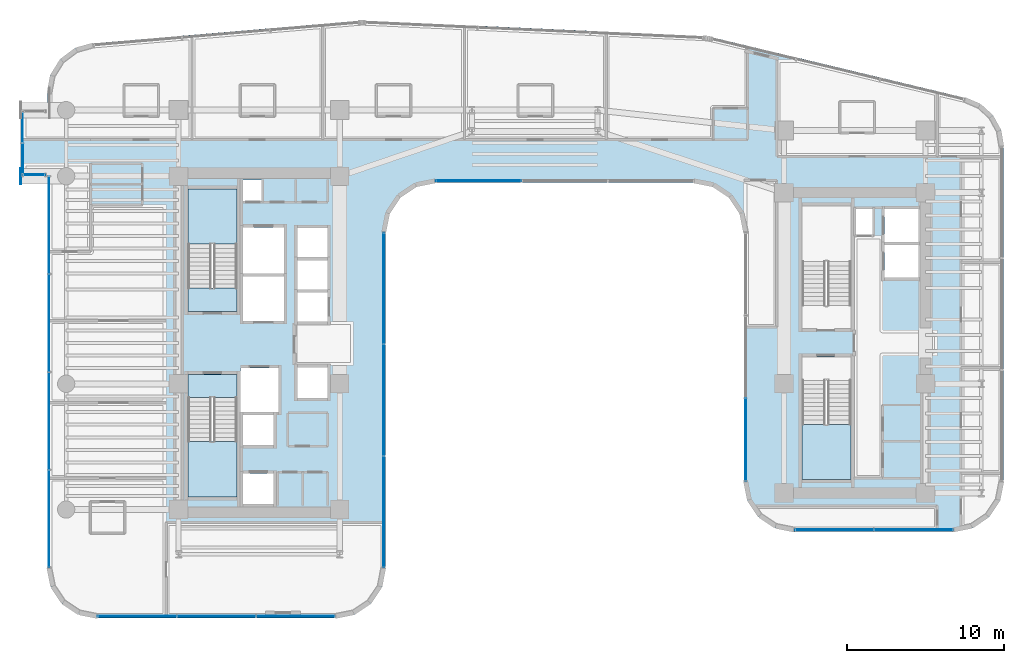
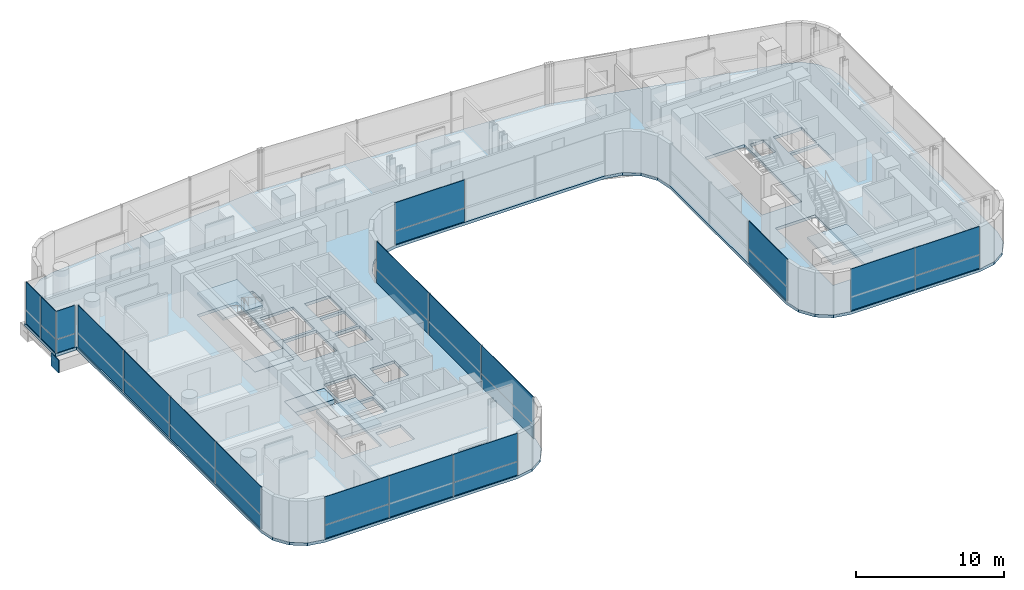
# One storey, part 25 of 35: 29 plates, 6 slabs, 11 elements without a shape of their own.
"""IFC4 building model written with IfcOpenShell, lengths in metres."""

from ifc_helpers import new_model, si_unit, direction, frame, origin, origin_2d, place, context, subcontext, project, spatial, polyline, rectangle, outline, extrude, source, transform, mapped, material, layer, layer_set, type_object, element, aggregate, save


model = new_model("IFC4")

# Units and contexts
model_context = context("Model", 3, precision=1e-05, world=origin(), true_north=direction((0.0, 1.0)))
body_context = subcontext(model_context, "Body", "Model", "MODEL_VIEW")
ifc_project = project(units=[si_unit("LENGTHUNIT", "METRE"), si_unit("AREAUNIT", "SQUARE_METRE"), si_unit("VOLUMEUNIT", "CUBIC_METRE"), si_unit("PLANEANGLEUNIT", "RADIAN"), si_unit("MASSUNIT", "GRAM", prefix="KILO")], contexts=[model_context])

# Site, building, storey
site_placement = place(None, origin())
site = spatial("IfcSite", under=ifc_project, at=site_placement, CompositionType="ELEMENT")
building_placement = place(site_placement, origin())
building = spatial("IfcBuilding", under=site, at=building_placement, Name="Valdorenza Pilgrim Sanctuary Tower", CompositionType="ELEMENT")
storey_placement = place(building_placement, frame((0.0, 0.0, 116.800048828125)))
storey = spatial("IfcBuildingStorey", under=building, at=storey_placement, Name="L29", CompositionType="ELEMENT", Elevation=116.800048828125)

# Slab
ifc_material_1 = material(Name="Concrete C40/50", Category="concrete")
ifc_layer_1 = layer(ifc_material_1, 0.239990234375, Name="Concrete C40/50")
ifc_layer_set_1 = layer_set([ifc_layer_1], Name="Concrete C40/50")
slab_type_1 = type_object("IfcSlabType", Name="SLAB-FLR-220", PredefinedType="FLOOR", material=ifc_layer_set_1)
slab_1_placement = place(storey_placement, frame((0.0, 0.0, -0.239990234375)))
element("IfcSlab", 1, at=slab_1_placement, inside=storey, type_object=slab_type_1, Name="L29 Structural Floor Slab 1", PredefinedType="FLOOR", context=body_context, shape_type="SweptSolid", body=[
    extrude(outline(polyline([(-30.78173828125, 17.022216796875), (-30.156494140625, 18.025390625), (-29.2099609375, 18.733154296875), (-28.071044921875, 19.049072265625), (-11.2080078125, 20.482421875), (-11.10400390625, 20.489501953125), (-10.895751953125, 20.49365234375), (10.6962890625, 19.513916015625), (10.847412109375, 19.50341796875), (10.998046875, 19.485595703125), (11.147705078125, 19.4609375), (11.2958984375, 19.42919921875), (27.344970703125, 15.587646484375), (28.323974609375, 15.17138671875), (29.1123046875, 14.45751953125), (29.623291015625, 13.5244140625), (29.800048828125, 12.4755859375), (29.800048828125, -8.800048828125), (29.556396484375, -10.024658203125), (28.86279296875, -11.062744140625), (27.82470703125, -11.75634765625), (26.60009765625, -12.0), (16.5, -12.0), (15.275390625, -11.75634765625), (14.2373046875, -11.062744140625), (13.543701171875, -10.024658203125), (13.300048828125, -8.800048828125), (13.300048828125, 7.0), (13.056396484375, 8.224609375), (12.36279296875, 9.2626953125), (11.32470703125, 9.956298828125), (10.10009765625, 10.199951171875), (-6.300048828125, 10.199951171875), (-7.524658203125, 9.956298828125), (-8.562744140625, 9.2626953125), (-9.25634765625, 8.224609375), (-9.5, 7.0), (-9.5, -14.300048828125), (-9.74365234375, -15.524658203125), (-10.437255859375, -16.562744140625), (-11.475341796875, -17.25634765625), (-12.699951171875, -17.5), (-27.800048828125, -17.5), (-29.024658203125, -17.25634765625), (-30.062744140625, -16.562744140625), (-30.75634765625, -15.524658203125), (-31.0, -14.300048828125), (-31.0, 10.60009765625), (-32.64990234375, 10.60009765625), (-32.64990234375, 14.800048828125), (-31.0, 14.800048828125), (-31.0, 15.860595703125), (-30.78173828125, 17.022216796875)]), holes=[polyline([(-16.60009765625, -10.25), (-16.60009765625, -8.300048828125), (-18.550048828125, -8.300048828125), (-18.550048828125, -10.25), (-16.60009765625, -10.25)]), polyline([(-22.050048828125, -9.800048828125), (-18.93994140625, -9.800048828125), (-18.93994140625, -3.485107421875), (-18.93994140625, -2.0), (-22.050048828125, -2.0), (-22.050048828125, -3.485107421875), (-22.050048828125, -9.800048828125)]), polyline([(-16.60009765625, -6.5), (-16.60009765625, -4.60009765625), (-18.550048828125, -4.60009765625), (-18.550048828125, -6.5), (-16.60009765625, -6.5)]), polyline([(-18.719970703125, -4.39990234375), (-16.300048828125, -4.39990234375), (-16.300048828125, -1.60009765625), (-18.719970703125, -1.60009765625), (-18.719970703125, -4.39990234375)]), polyline([(-13.179931640625, 1.35009765625), (-13.179931640625, 3.199951171875), (-15.10009765625, 3.199951171875), (-15.10009765625, 1.35009765625), (-13.179931640625, 1.35009765625)]), polyline([(-22.050048828125, 2.0), (-18.93994140625, 2.0), (-18.93994140625, 3.485107421875), (-18.93994140625, 9.800048828125), (-22.050048828125, 9.800048828125), (-22.050048828125, 3.485107421875), (-22.050048828125, 2.0)]), polyline([(-15.949951171875, 1.39990234375), (-15.949951171875, 4.22509765625), (-18.550048828125, 4.22509765625), (-18.550048828125, 1.39990234375), (-15.949951171875, 1.39990234375)]), polyline([(-18.550048828125, 4.425048828125), (-15.949951171875, 4.425048828125), (-15.949951171875, 7.35009765625), (-18.550048828125, 7.35009765625), (-18.550048828125, 4.425048828125)]), polyline([(-17.360107421875, 9.030029296875), (-17.360107421875, 10.35009765625), (-18.570068359375, 10.35009765625), (-18.570068359375, 9.030029296875), (-17.360107421875, 9.030029296875)]), polyline([(17.0, -8.699951171875), (20.110107421875, -8.699951171875), (20.110107421875, -2.385009765625), (20.110107421875, -0.89990234375), (17.0, -0.89990234375), (17.0, -2.385009765625), (17.0, -8.699951171875)]), polyline([(-13.179931640625, -3.5), (-13.179931640625, -1.550048828125), (-15.10009765625, -1.550048828125), (-15.10009765625, -3.5), (-13.179931640625, -3.5)]), polyline([(17.0, 0.89990234375), (20.110107421875, 0.89990234375), (20.110107421875, 2.385009765625), (20.110107421875, 8.699951171875), (17.0, 8.699951171875), (17.0, 2.385009765625), (17.0, 0.89990234375)]), polyline([(-13.179931640625, 3.39990234375), (-13.179931640625, 5.25), (-15.10009765625, 5.25), (-15.10009765625, 3.39990234375), (-13.179931640625, 3.39990234375)]), polyline([(22.25, 4.14990234375), (24.47998046875, 4.14990234375), (24.47998046875, 6.22509765625), (22.25, 6.22509765625), (22.25, 4.14990234375)]), polyline([(-13.179931640625, 5.449951171875), (-13.179931640625, 7.300048828125), (-15.10009765625, 7.300048828125), (-15.10009765625, 5.449951171875), (-13.179931640625, 5.449951171875)]), polyline([(22.25, 6.425048828125), (24.47998046875, 6.425048828125), (24.47998046875, 8.5), (22.25, 8.5), (22.25, 6.425048828125)]), polyline([(20.409912109375, 6.860107421875), (21.489990234375, 6.860107421875), (21.489990234375, 8.52001953125), (20.409912109375, 8.52001953125), (20.409912109375, 6.860107421875)])]), origin(), (0.0, 0.0, 1.0), 0.239990234375),
])

# Stair, slab
stair_type = type_object("IfcStairType", Name="STR-DOG-CORE", PredefinedType="HALF_TURN_STAIR", material=ifc_material_1)
stair_1_placement = place(storey_placement, origin())
stair_1 = element("IfcStair", 2, at=stair_1_placement, inside=storey, type_object=stair_type, Name="L29 ST-A1", PredefinedType="HALF_TURN_STAIR")
ifc_layer_2 = layer(ifc_material_1, 0.199951171875, Name="Concrete C40/50")
ifc_layer_set_2 = layer_set([ifc_layer_2], Name="Concrete C40/50")
slab_type_2 = type_object("IfcSlabType", Name="SLAB-STL-200", PredefinedType="LANDING", material=ifc_layer_set_2)
slab_2_placement = place(storey_placement, frame((0.0, 0.0, 1.64990234375)))
slab_2 = element("IfcSlab", 3, at=slab_2_placement, type_object=slab_type_2, Name="ST-A1 landing 1", PredefinedType="LANDING", context=body_context, shape_type="SweptSolid", body=[
    extrude(outline(polyline([(-18.93994140625, 6.280029296875), (-18.93994140625, 9.800048828125), (-22.050048828125, 9.800048828125), (-22.050048828125, 6.280029296875), (-18.93994140625, 6.280029296875)])), origin(), (0.0, 0.0, 1.0), 0.199951171875),
])
aggregate(stair_1, [slab_2])

stair_2_placement = place(storey_placement, origin())
stair_2 = element("IfcStair", 4, at=stair_2_placement, inside=storey, type_object=stair_type, Name="L29 ST-A2", PredefinedType="HALF_TURN_STAIR")
slab_3_placement = place(storey_placement, frame((0.0, 0.0, 1.64990234375)))
slab_3 = element("IfcSlab", 5, at=slab_3_placement, type_object=slab_type_2, Name="ST-A2 landing 1", PredefinedType="LANDING", context=body_context, shape_type="SweptSolid", body=[
    extrude(outline(polyline([(-22.050048828125, -6.280029296875), (-22.050048828125, -9.800048828125), (-18.93994140625, -9.800048828125), (-18.93994140625, -6.280029296875), (-22.050048828125, -6.280029296875)])), origin(), (0.0, 0.0, 1.0), 0.199951171875),
])
aggregate(stair_2, [slab_3])

stair_3_placement = place(storey_placement, origin())
stair_3 = element("IfcStair", 6, at=stair_3_placement, inside=storey, type_object=stair_type, Name="L29 ST-B2", PredefinedType="HALF_TURN_STAIR")
slab_4_placement = place(storey_placement, frame((0.0, 0.0, 1.64990234375)))
slab_4 = element("IfcSlab", 7, at=slab_4_placement, type_object=slab_type_2, Name="ST-B2 landing 1", PredefinedType="LANDING", context=body_context, shape_type="SweptSolid", body=[
    extrude(outline(polyline([(17.0, -5.179931640625), (17.0, -8.699951171875), (20.110107421875, -8.699951171875), (20.110107421875, -5.179931640625), (17.0, -5.179931640625)])), origin(), (0.0, 0.0, 1.0), 0.199951171875),
])
aggregate(stair_3, [slab_4])

# Slabs
ifc_material_2 = material(Name="Concrete C50/60", Category="concrete")
ifc_layer_3 = layer(ifc_material_2, 0.39990234375, Name="Concrete C50/60")
ifc_layer_set_3 = layer_set([ifc_layer_3], Name="Concrete C50/60")
slab_type_3 = type_object("IfcSlabType", Name="SLAB-TRF-400", PredefinedType="FLOOR", material=ifc_layer_set_3)
slab_5_placement = place(storey_placement, frame((0.0, 0.0, -0.360107421875)))
element("IfcSlab", 8, at=slab_5_placement, inside=storey, type_object=slab_type_3, Name="L29 ST-A1 Structural Stair Landing Bearing Slab", PredefinedType="FLOOR", context=body_context, shape_type="SweptSolid", body=[
    extrude(outline(polyline([(-22.050048828125, 2.0), (-18.93994140625, 2.0), (-18.93994140625, 3.485107421875), (-22.050048828125, 3.485107421875), (-22.050048828125, 2.0)])), origin(), (0.0, 0.0, 1.0), 0.360107421875),
])
slab_6_placement = place(storey_placement, frame((0.0, 0.0, -0.360107421875)))
element("IfcSlab", 9, at=slab_6_placement, inside=storey, type_object=slab_type_3, Name="L29 ST-A2 Structural Stair Landing Bearing Slab", PredefinedType="FLOOR", context=body_context, shape_type="SweptSolid", body=[
    extrude(outline(polyline([(-22.050048828125, -3.485107421875), (-18.93994140625, -3.485107421875), (-18.93994140625, -2.0), (-22.050048828125, -2.0), (-22.050048828125, -3.485107421875)])), origin(), (0.0, 0.0, 1.0), 0.360107421875),
])

# Plate
ifc_material_3 = material(Name="Steel ASTM A572 Grade 42", Category="steel")
ifc_layer_4 = layer(ifc_material_3, 0.06005859375, Name="Steel ASTM A572 Grade 42")
ifc_layer_set_4 = layer_set([ifc_layer_4], Name="Steel ASTM A572 Grade 42")
plate_type_1 = type_object("IfcPlateType", Name="PLT-CAP-60", PredefinedType="SHEET", material=ifc_layer_set_4)
shared_shape_1 = source(origin(), body_context, "Body", "SweptSolid", [
    extrude(rectangle(XDim=0.06005859375, YDim=1.0400390625, at=origin_2d()), origin(), (0.0, 0.0, 1.0), 1.0400390625),
])
plate_1_placement = place(storey_placement, frame((-32.679931640625, 10.60009765625, -1.260009765625), z_axis=(0.0, 0.0, 1.0), x_axis=(1.0, 0.0, 0.0)))
element("IfcPlate", 10, at=plate_1_placement, inside=storey, type_object=plate_type_1, Name="L29 BOX-WA-L29 Cantilever Tip End Cap S", PredefinedType="SHEET", context=body_context, shape_type="MappedRepresentation", body=[
    mapped(shared_shape_1, transform((0.0, 0.0, 0.0), x_axis=(1.0, 0.0, 0.0), y_axis=(0.0, 1.0, 0.0), z_axis=(0.0, 0.0, 1.0), scale=1.0)),
])

# Curtain wall, plates
ifc_material_4 = material(Name="Curtain-wall IGU glazing", Category="glass")
curtain_wall_type_1 = type_object("IfcCurtainWallType", Name="CW-SYS-02", PredefinedType="NOTDEFINED", material=ifc_material_4)
curtain_wall_1_placement = place(storey_placement, origin())
curtain_wall_1 = element("IfcCurtainWall", 11, at=curtain_wall_1_placement, inside=storey, type_object=curtain_wall_type_1, Name="L29 Curtain Wall CW-L29-1-36", PredefinedType="NOTDEFINED")
ifc_material_5 = material(Name="Honed travertine limestone", Category="masonry")
ifc_layer_5 = layer(ifc_material_5, 0.050048828125, Name="Honed travertine limestone")
ifc_layer_set_5 = layer_set([ifc_layer_5], Name="Honed travertine limestone")
plate_type_2 = type_object("IfcPlateType", Name="CW-SPN-TRV", PredefinedType="USERDEFINED", material=ifc_layer_set_5)
shared_shape_2 = source(origin(), body_context, "Body", "SweptSolid", [
    extrude(rectangle(XDim=5.453857421875, YDim=0.06005859375, at=origin_2d()), origin(), (0.0, 0.0, 1.0), 1.10009765625),
])
plate_2_placement = place(storey_placement, frame((-3.573974609375, 10.31005859375, 0.010009765625), z_axis=(0.0, 0.0, 1.0), x_axis=(-1.0, 0.0, 0.0)))
plate_2 = element("IfcPlate", 12, at=plate_2_placement, type_object=plate_type_2, Name="CW-L29-1-36 Travertine Spandrel 3", ObjectType="SPANDREL", PredefinedType="USERDEFINED", context=body_context, shape_type="MappedRepresentation", body=[
    mapped(shared_shape_2, transform((0.0, 0.0, 0.0), x_axis=(1.0, 0.0, 0.0), y_axis=(0.0, 1.0, 0.0), z_axis=(0.0, 0.0, 1.0), scale=1.0)),
])
ifc_material_6 = material(Name="Ceramic-fritted low-E IGU glazing", Category="glass")
ifc_layer_6 = layer(ifc_material_6, 0.035888671875, Name="Ceramic-fritted low-E IGU glazing")
ifc_layer_set_6 = layer_set([ifc_layer_6], Name="Ceramic-fritted low-E IGU glazing")
plate_type_3 = type_object("IfcPlateType", Name="CW-GLZ-IGU", PredefinedType="USERDEFINED", material=ifc_layer_set_6)
shared_shape_3 = source(origin(), body_context, "Body", "SweptSolid", [
    extrude(rectangle(XDim=5.453857421875, YDim=0.050048828125, at=origin_2d()), origin(), (0.0, 0.0, 1.0), 2.320068359375),
])
plate_3_placement = place(storey_placement, frame((-3.573974609375, 10.31005859375, 1.1298828125), z_axis=(0.0, 0.0, 1.0), x_axis=(-1.0, 0.0, 0.0)))
plate_3 = element("IfcPlate", 13, at=plate_3_placement, type_object=plate_type_3, Name="CW-L29-1-36 Facade Panel 3", ObjectType="GLAZING", PredefinedType="USERDEFINED", context=body_context, shape_type="MappedRepresentation", body=[
    mapped(shared_shape_3, transform((0.0, 0.0, 0.0), x_axis=(1.0, 0.0, 0.0), y_axis=(0.0, 1.0, 0.0), z_axis=(0.0, 0.0, 1.0), scale=1.0)),
])
aggregate(curtain_wall_1, [plate_2, plate_3])

curtain_wall_2_placement = place(storey_placement, origin())
curtain_wall_2 = element("IfcCurtainWall", 14, at=curtain_wall_2_placement, inside=storey, type_object=curtain_wall_type_1, Name="L29 Curtain Wall CW-L29-BOX-WA-L29-S", PredefinedType="NOTDEFINED")
shared_shape_4 = source(origin(), body_context, "Body", "SweptSolid", [
    extrude(rectangle(XDim=1.43994140625, YDim=0.06005859375, at=origin_2d()), origin(), (0.0, 0.0, 1.0), 1.10009765625),
])
plate_4_placement = place(storey_placement, frame((-31.840087890625, 10.679931640625, 0.010009765625), z_axis=(0.0, 0.0, 1.0), x_axis=(-1.0, 0.0, 0.0)))
plate_4 = element("IfcPlate", 15, at=plate_4_placement, type_object=plate_type_2, Name="CW-L29-BOX-WA-L29-S Travertine Spandrel 1", ObjectType="SPANDREL", PredefinedType="USERDEFINED", context=body_context, shape_type="MappedRepresentation", body=[
    mapped(shared_shape_4, transform((0.0, 0.0, 0.0), x_axis=(1.0, 0.0, 0.0), y_axis=(0.0, 1.0, 0.0), z_axis=(0.0, 0.0, 1.0), scale=1.0)),
])
shared_shape_5 = source(origin(), body_context, "Body", "SweptSolid", [
    extrude(rectangle(XDim=1.43994140625, YDim=0.050048828125, at=origin_2d()), origin(), (0.0, 0.0, 1.0), 2.320068359375),
])
plate_5_placement = place(storey_placement, frame((-31.840087890625, 10.679931640625, 1.1298828125), z_axis=(0.0, 0.0, 1.0), x_axis=(-1.0, 0.0, 0.0)))
plate_5 = element("IfcPlate", 16, at=plate_5_placement, type_object=plate_type_3, Name="CW-L29-BOX-WA-L29-S Facade Panel 1", ObjectType="GLAZING", PredefinedType="USERDEFINED", context=body_context, shape_type="MappedRepresentation", body=[
    mapped(shared_shape_5, transform((0.0, 0.0, 0.0), x_axis=(1.0, 0.0, 0.0), y_axis=(0.0, 1.0, 0.0), z_axis=(0.0, 0.0, 1.0), scale=1.0)),
])
aggregate(curtain_wall_2, [plate_4, plate_5])

curtain_wall_3_placement = place(storey_placement, origin())
curtain_wall_3 = element("IfcCurtainWall", 17, at=curtain_wall_3_placement, inside=storey, type_object=curtain_wall_type_1, Name="L29 Curtain Wall CW-L29-BOX-WA-L29-F", PredefinedType="NOTDEFINED")
shared_shape_6 = source(origin(), body_context, "Body", "SweptSolid", [
    extrude(rectangle(XDim=2.0, YDim=0.06005859375, at=origin_2d()), origin(), (0.0, 0.0, 1.0), 1.10009765625),
])
plate_6_placement = place(storey_placement, frame((-32.570068359375, 11.68994140625, 0.010009765625), z_axis=(0.0, 0.0, 1.0), x_axis=(0.0, 1.0, 0.0)))
plate_6 = element("IfcPlate", 18, at=plate_6_placement, type_object=plate_type_2, Name="CW-L29-BOX-WA-L29-F Travertine Spandrel 1", ObjectType="SPANDREL", PredefinedType="USERDEFINED", context=body_context, shape_type="MappedRepresentation", body=[
    mapped(shared_shape_6, transform((0.0, 0.0, 0.0), x_axis=(1.0, 0.0, 0.0), y_axis=(0.0, 1.0, 0.0), z_axis=(0.0, 0.0, 1.0), scale=1.0)),
])
shared_shape_7 = source(origin(), body_context, "Body", "SweptSolid", [
    extrude(rectangle(XDim=2.0, YDim=0.050048828125, at=origin_2d()), origin(), (0.0, 0.0, 1.0), 2.320068359375),
])
plate_7_placement = place(storey_placement, frame((-32.570068359375, 11.68994140625, 1.1298828125), z_axis=(0.0, 0.0, 1.0), x_axis=(0.0, 1.0, 0.0)))
plate_7 = element("IfcPlate", 19, at=plate_7_placement, type_object=plate_type_3, Name="CW-L29-BOX-WA-L29-F Facade Panel 1", ObjectType="GLAZING", PredefinedType="USERDEFINED", context=body_context, shape_type="MappedRepresentation", body=[
    mapped(shared_shape_7, transform((0.0, 0.0, 0.0), x_axis=(1.0, 0.0, 0.0), y_axis=(0.0, 1.0, 0.0), z_axis=(0.0, 0.0, 1.0), scale=1.0)),
])
shared_shape_8 = source(origin(), body_context, "Body", "SweptSolid", [
    extrude(rectangle(XDim=2.0, YDim=0.050048828125, at=origin_2d()), origin(), (0.0, 0.0, 1.0), 3.43994140625),
])
plate_8_placement = place(storey_placement, frame((-32.570068359375, 13.7099609375, 0.010009765625), z_axis=(0.0, 0.0, 1.0), x_axis=(0.0, 1.0, 0.0)))
plate_8 = element("IfcPlate", 20, at=plate_8_placement, type_object=plate_type_3, Name="CW-L29-BOX-WA-L29-F Full-Height Facade Panel 2", ObjectType="GLAZING", PredefinedType="USERDEFINED", context=body_context, shape_type="MappedRepresentation", body=[
    mapped(shared_shape_8, transform((0.0, 0.0, 0.0), x_axis=(1.0, 0.0, 0.0), y_axis=(0.0, 1.0, 0.0), z_axis=(0.0, 0.0, 1.0), scale=1.0)),
])
aggregate(curtain_wall_3, [plate_6, plate_7, plate_8])

# Curtain wall, plate
curtain_wall_type_2 = type_object("IfcCurtainWallType", Name="CW-SYS-03", PredefinedType="NOTDEFINED", material=ifc_material_4)
curtain_wall_4_placement = place(storey_placement, origin())
curtain_wall_4 = element("IfcCurtainWall", 21, at=curtain_wall_4_placement, inside=storey, type_object=curtain_wall_type_2, Name="L29 Curtain Wall CW-L29-1-26", PredefinedType="NOTDEFINED")
shared_shape_9 = source(origin(), body_context, "Body", "SweptSolid", [
    extrude(rectangle(XDim=5.019287109375, YDim=0.06005859375, at=origin_2d()), origin(), (0.0, 0.0, 1.0), 1.10009765625),
])
plate_9_placement = place(storey_placement, frame((24.069580078125, -11.889892578125, 0.010009765625), z_axis=(0.0, 0.0, 1.0), x_axis=(-1.0, 0.0, 0.0)))
plate_9 = element("IfcPlate", 22, at=plate_9_placement, type_object=plate_type_2, Name="CW-L29-1-26 Travertine Spandrel 1", ObjectType="SPANDREL", PredefinedType="USERDEFINED", context=body_context, shape_type="MappedRepresentation", body=[
    mapped(shared_shape_9, transform((0.0, 0.0, 0.0), x_axis=(1.0, 0.0, 0.0), y_axis=(0.0, 1.0, 0.0), z_axis=(0.0, 0.0, 1.0), scale=1.0)),
])

curtain_wall_5_placement = place(storey_placement, origin())
curtain_wall_5 = element("IfcCurtainWall", 23, at=curtain_wall_5_placement, inside=storey, type_object=curtain_wall_type_2, Name="L29 Curtain Wall CW-L29-1-31", PredefinedType="NOTDEFINED")
shared_shape_10 = source(origin(), body_context, "Body", "SweptSolid", [
    extrude(rectangle(XDim=5.24658203125, YDim=0.06005859375, at=origin_2d()), origin(), (0.0, 0.0, 1.0), 1.10009765625),
])
plate_10_placement = place(storey_placement, frame((13.409912109375, -6.156005859375, 0.010009765625), z_axis=(0.0, 0.0, 1.0), x_axis=(0.0, 1.0, 0.0)))
plate_10 = element("IfcPlate", 24, at=plate_10_placement, type_object=plate_type_2, Name="CW-L29-1-31 Travertine Spandrel 1", ObjectType="SPANDREL", PredefinedType="USERDEFINED", context=body_context, shape_type="MappedRepresentation", body=[
    mapped(shared_shape_10, transform((0.0, 0.0, 0.0), x_axis=(1.0, 0.0, 0.0), y_axis=(0.0, 1.0, 0.0), z_axis=(0.0, 0.0, 1.0), scale=1.0)),
])

# Curtain wall, plates
curtain_wall_6_placement = place(storey_placement, origin())
curtain_wall_6 = element("IfcCurtainWall", 25, at=curtain_wall_6_placement, inside=storey, type_object=curtain_wall_type_1, Name="L29 Curtain Wall CW-L29-1-41", PredefinedType="NOTDEFINED")
shared_shape_11 = source(origin(), body_context, "Body", "SweptSolid", [
    extrude(rectangle(XDim=7.080078125, YDim=0.06005859375, at=origin_2d()), origin(), (0.0, 0.0, 1.0), 1.10009765625),
])
plate_11_placement = place(storey_placement, frame((-9.610107421875, 3.460693359375, 0.010009765625), z_axis=(0.0, 0.0, 1.0), x_axis=(0.0, -1.0, 0.0)))
plate_11 = element("IfcPlate", 26, at=plate_11_placement, type_object=plate_type_2, Name="CW-L29-1-41 Travertine Spandrel 1", ObjectType="SPANDREL", PredefinedType="USERDEFINED", context=body_context, shape_type="MappedRepresentation", body=[
    mapped(shared_shape_11, transform((0.0, 0.0, 0.0), x_axis=(1.0, 0.0, 0.0), y_axis=(0.0, 1.0, 0.0), z_axis=(0.0, 0.0, 1.0), scale=1.0)),
])
plate_12_placement = place(storey_placement, frame((-9.610107421875, -10.7392578125, 0.010009765625), z_axis=(0.0, 0.0, 1.0), x_axis=(0.0, -1.0, 0.0)))
plate_12 = element("IfcPlate", 27, at=plate_12_placement, type_object=plate_type_2, Name="CW-L29-1-41 Travertine Spandrel 3", ObjectType="SPANDREL", PredefinedType="USERDEFINED", context=body_context, shape_type="MappedRepresentation", body=[
    mapped(shared_shape_11, transform((0.0, 0.0, 0.0), x_axis=(1.0, 0.0, 0.0), y_axis=(0.0, 1.0, 0.0), z_axis=(0.0, 0.0, 1.0), scale=1.0)),
])

# Plate
shared_shape_12 = source(origin(), body_context, "Body", "SweptSolid", [
    extrude(rectangle(XDim=5.019287109375, YDim=0.050048828125, at=origin_2d()), origin(), (0.0, 0.0, 1.0), 2.320068359375),
])
plate_13_placement = place(storey_placement, frame((24.069580078125, -11.889892578125, 1.1298828125), z_axis=(0.0, 0.0, 1.0), x_axis=(-1.0, 0.0, 0.0)))
plate_13 = element("IfcPlate", 28, at=plate_13_placement, type_object=plate_type_3, Name="CW-L29-1-26 Facade Panel 1", ObjectType="GLAZING", PredefinedType="USERDEFINED", context=body_context, shape_type="MappedRepresentation", body=[
    mapped(shared_shape_12, transform((0.0, 0.0, 0.0), x_axis=(1.0, 0.0, 0.0), y_axis=(0.0, 1.0, 0.0), z_axis=(0.0, 0.0, 1.0), scale=1.0)),
])

shared_shape_13 = source(origin(), body_context, "Body", "SweptSolid", [
    extrude(rectangle(XDim=5.019287109375, YDim=0.050048828125, at=origin_2d()), origin(), (0.0, 0.0, 1.0), 3.43994140625),
])
plate_14_placement = place(storey_placement, frame((19.030517578125, -11.889892578125, 0.010009765625), z_axis=(0.0, 0.0, 1.0), x_axis=(-1.0, 0.0, 0.0)))
plate_14 = element("IfcPlate", 29, at=plate_14_placement, type_object=plate_type_3, Name="CW-L29-1-26 Full-Height Facade Panel 2", ObjectType="GLAZING", PredefinedType="USERDEFINED", context=body_context, shape_type="MappedRepresentation", body=[
    mapped(shared_shape_13, transform((0.0, 0.0, 0.0), x_axis=(1.0, 0.0, 0.0), y_axis=(0.0, 1.0, 0.0), z_axis=(0.0, 0.0, 1.0), scale=1.0)),
])

aggregate(curtain_wall_4, [plate_9, plate_13, plate_14])

shared_shape_14 = source(origin(), body_context, "Body", "SweptSolid", [
    extrude(rectangle(XDim=5.24658203125, YDim=0.050048828125, at=origin_2d()), origin(), (0.0, 0.0, 1.0), 2.320068359375),
])
plate_15_placement = place(storey_placement, frame((13.409912109375, -6.156005859375, 1.1298828125), z_axis=(0.0, 0.0, 1.0), x_axis=(0.0, 1.0, 0.0)))
plate_15 = element("IfcPlate", 30, at=plate_15_placement, type_object=plate_type_3, Name="CW-L29-1-31 Facade Panel 1", ObjectType="GLAZING", PredefinedType="USERDEFINED", context=body_context, shape_type="MappedRepresentation", body=[
    mapped(shared_shape_14, transform((0.0, 0.0, 0.0), x_axis=(1.0, 0.0, 0.0), y_axis=(0.0, 1.0, 0.0), z_axis=(0.0, 0.0, 1.0), scale=1.0)),
])

aggregate(curtain_wall_5, [plate_10, plate_15])

shared_shape_15 = source(origin(), body_context, "Body", "SweptSolid", [
    extrude(rectangle(XDim=7.080078125, YDim=0.050048828125, at=origin_2d()), origin(), (0.0, 0.0, 1.0), 2.320068359375),
])
plate_16_placement = place(storey_placement, frame((-9.610107421875, 3.460693359375, 1.1298828125), z_axis=(0.0, 0.0, 1.0), x_axis=(0.0, -1.0, 0.0)))
plate_16 = element("IfcPlate", 31, at=plate_16_placement, type_object=plate_type_3, Name="CW-L29-1-41 Facade Panel 1", ObjectType="GLAZING", PredefinedType="USERDEFINED", context=body_context, shape_type="MappedRepresentation", body=[
    mapped(shared_shape_15, transform((0.0, 0.0, 0.0), x_axis=(1.0, 0.0, 0.0), y_axis=(0.0, 1.0, 0.0), z_axis=(0.0, 0.0, 1.0), scale=1.0)),
])

plate_17_placement = place(storey_placement, frame((-9.610107421875, -10.7392578125, 1.1298828125), z_axis=(0.0, 0.0, 1.0), x_axis=(0.0, -1.0, 0.0)))
plate_17 = element("IfcPlate", 32, at=plate_17_placement, type_object=plate_type_3, Name="CW-L29-1-41 Facade Panel 3", ObjectType="GLAZING", PredefinedType="USERDEFINED", context=body_context, shape_type="MappedRepresentation", body=[
    mapped(shared_shape_15, transform((0.0, 0.0, 0.0), x_axis=(1.0, 0.0, 0.0), y_axis=(0.0, 1.0, 0.0), z_axis=(0.0, 0.0, 1.0), scale=1.0)),
])

shared_shape_16 = source(origin(), body_context, "Body", "SweptSolid", [
    extrude(rectangle(XDim=7.080078125, YDim=0.050048828125, at=origin_2d()), origin(), (0.0, 0.0, 1.0), 3.43994140625),
])
plate_18_placement = place(storey_placement, frame((-9.610107421875, -3.63916015625, 0.010009765625), z_axis=(0.0, 0.0, 1.0), x_axis=(0.0, -1.0, 0.0)))
plate_18 = element("IfcPlate", 33, at=plate_18_placement, type_object=plate_type_3, Name="CW-L29-1-41 Full-Height Facade Panel 2", ObjectType="GLAZING", PredefinedType="USERDEFINED", context=body_context, shape_type="MappedRepresentation", body=[
    mapped(shared_shape_16, transform((0.0, 0.0, 0.0), x_axis=(1.0, 0.0, 0.0), y_axis=(0.0, 1.0, 0.0), z_axis=(0.0, 0.0, 1.0), scale=1.0)),
])

aggregate(curtain_wall_6, [plate_11, plate_16, plate_18, plate_12, plate_17])

# Curtain wall, plates
curtain_wall_7_placement = place(storey_placement, origin())
curtain_wall_7 = element("IfcCurtainWall", 34, at=curtain_wall_7_placement, inside=storey, type_object=curtain_wall_type_1, Name="L29 Curtain Wall CW-L29-1-46", PredefinedType="NOTDEFINED")
shared_shape_17 = source(origin(), body_context, "Body", "SweptSolid", [
    extrude(rectangle(XDim=5.006103515625, YDim=0.06005859375, at=origin_2d()), origin(), (0.0, 0.0, 1.0), 1.10009765625),
])
plate_19_placement = place(storey_placement, frame((-15.223876953125, -17.389892578125, 0.010009765625), z_axis=(0.0, 0.0, 1.0), x_axis=(-1.0, 0.0, 0.0)))
plate_19 = element("IfcPlate", 35, at=plate_19_placement, type_object=plate_type_2, Name="CW-L29-1-46 Travertine Spandrel 1", ObjectType="SPANDREL", PredefinedType="USERDEFINED", context=body_context, shape_type="MappedRepresentation", body=[
    mapped(shared_shape_17, transform((0.0, 0.0, 0.0), x_axis=(1.0, 0.0, 0.0), y_axis=(0.0, 1.0, 0.0), z_axis=(0.0, 0.0, 1.0), scale=1.0)),
])
plate_20_placement = place(storey_placement, frame((-25.276123046875, -17.389892578125, 0.010009765625), z_axis=(0.0, 0.0, 1.0), x_axis=(-1.0, 0.0, 0.0)))
plate_20 = element("IfcPlate", 36, at=plate_20_placement, type_object=plate_type_2, Name="CW-L29-1-46 Travertine Spandrel 3", ObjectType="SPANDREL", PredefinedType="USERDEFINED", context=body_context, shape_type="MappedRepresentation", body=[
    mapped(shared_shape_17, transform((0.0, 0.0, 0.0), x_axis=(1.0, 0.0, 0.0), y_axis=(0.0, 1.0, 0.0), z_axis=(0.0, 0.0, 1.0), scale=1.0)),
])
shared_shape_18 = source(origin(), body_context, "Body", "SweptSolid", [
    extrude(rectangle(XDim=5.006103515625, YDim=0.050048828125, at=origin_2d()), origin(), (0.0, 0.0, 1.0), 2.320068359375),
])
plate_21_placement = place(storey_placement, frame((-15.223876953125, -17.389892578125, 1.1298828125), z_axis=(0.0, 0.0, 1.0), x_axis=(-1.0, 0.0, 0.0)))
plate_21 = element("IfcPlate", 37, at=plate_21_placement, type_object=plate_type_3, Name="CW-L29-1-46 Facade Panel 1", ObjectType="GLAZING", PredefinedType="USERDEFINED", context=body_context, shape_type="MappedRepresentation", body=[
    mapped(shared_shape_18, transform((0.0, 0.0, 0.0), x_axis=(1.0, 0.0, 0.0), y_axis=(0.0, 1.0, 0.0), z_axis=(0.0, 0.0, 1.0), scale=1.0)),
])
plate_22_placement = place(storey_placement, frame((-25.276123046875, -17.389892578125, 1.1298828125), z_axis=(0.0, 0.0, 1.0), x_axis=(-1.0, 0.0, 0.0)))
plate_22 = element("IfcPlate", 38, at=plate_22_placement, type_object=plate_type_3, Name="CW-L29-1-46 Facade Panel 3", ObjectType="GLAZING", PredefinedType="USERDEFINED", context=body_context, shape_type="MappedRepresentation", body=[
    mapped(shared_shape_18, transform((0.0, 0.0, 0.0), x_axis=(1.0, 0.0, 0.0), y_axis=(0.0, 1.0, 0.0), z_axis=(0.0, 0.0, 1.0), scale=1.0)),
])
shared_shape_19 = source(origin(), body_context, "Body", "SweptSolid", [
    extrude(rectangle(XDim=5.006103515625, YDim=0.050048828125, at=origin_2d()), origin(), (0.0, 0.0, 1.0), 3.43994140625),
])
plate_23_placement = place(storey_placement, frame((-20.25, -17.389892578125, 0.010009765625), z_axis=(0.0, 0.0, 1.0), x_axis=(-1.0, 0.0, 0.0)))
plate_23 = element("IfcPlate", 39, at=plate_23_placement, type_object=plate_type_3, Name="CW-L29-1-46 Full-Height Facade Panel 2", ObjectType="GLAZING", PredefinedType="USERDEFINED", context=body_context, shape_type="MappedRepresentation", body=[
    mapped(shared_shape_19, transform((0.0, 0.0, 0.0), x_axis=(1.0, 0.0, 0.0), y_axis=(0.0, 1.0, 0.0), z_axis=(0.0, 0.0, 1.0), scale=1.0)),
])
aggregate(curtain_wall_7, [plate_19, plate_21, plate_23, plate_20, plate_22])

curtain_wall_8_placement = place(storey_placement, origin())
curtain_wall_8 = element("IfcCurtainWall", 40, at=curtain_wall_8_placement, inside=storey, type_object=curtain_wall_type_1, Name="L29 Curtain Wall CW-L29-1-1S1", PredefinedType="NOTDEFINED")
shared_shape_20 = source(origin(), body_context, "Body", "SweptSolid", [
    extrude(rectangle(XDim=6.202392578125, YDim=0.06005859375, at=origin_2d()), origin(), (0.0, 0.0, 1.0), 1.10009765625),
])
plate_24_placement = place(storey_placement, frame((-30.889892578125, -11.177978515625, 0.010009765625), z_axis=(0.0, 0.0, 1.0), x_axis=(0.0, 1.0, 0.0)))
plate_24 = element("IfcPlate", 41, at=plate_24_placement, type_object=plate_type_2, Name="CW-L29-1-1S1 Travertine Spandrel 1", ObjectType="SPANDREL", PredefinedType="USERDEFINED", context=body_context, shape_type="MappedRepresentation", body=[
    mapped(shared_shape_20, transform((0.0, 0.0, 0.0), x_axis=(1.0, 0.0, 0.0), y_axis=(0.0, 1.0, 0.0), z_axis=(0.0, 0.0, 1.0), scale=1.0)),
])
plate_25_placement = place(storey_placement, frame((-30.889892578125, 1.2666015625, 0.010009765625), z_axis=(0.0, 0.0, 1.0), x_axis=(0.0, 1.0, 0.0)))
plate_25 = element("IfcPlate", 42, at=plate_25_placement, type_object=plate_type_2, Name="CW-L29-1-1S1 Travertine Spandrel 3", ObjectType="SPANDREL", PredefinedType="USERDEFINED", context=body_context, shape_type="MappedRepresentation", body=[
    mapped(shared_shape_20, transform((0.0, 0.0, 0.0), x_axis=(1.0, 0.0, 0.0), y_axis=(0.0, 1.0, 0.0), z_axis=(0.0, 0.0, 1.0), scale=1.0)),
])
shared_shape_21 = source(origin(), body_context, "Body", "SweptSolid", [
    extrude(rectangle(XDim=6.202392578125, YDim=0.050048828125, at=origin_2d()), origin(), (0.0, 0.0, 1.0), 2.320068359375),
])
plate_26_placement = place(storey_placement, frame((-30.889892578125, -11.177978515625, 1.1298828125), z_axis=(0.0, 0.0, 1.0), x_axis=(0.0, 1.0, 0.0)))
plate_26 = element("IfcPlate", 43, at=plate_26_placement, type_object=plate_type_3, Name="CW-L29-1-1S1 Facade Panel 1", ObjectType="GLAZING", PredefinedType="USERDEFINED", context=body_context, shape_type="MappedRepresentation", body=[
    mapped(shared_shape_21, transform((0.0, 0.0, 0.0), x_axis=(1.0, 0.0, 0.0), y_axis=(0.0, 1.0, 0.0), z_axis=(0.0, 0.0, 1.0), scale=1.0)),
])
plate_27_placement = place(storey_placement, frame((-30.889892578125, 1.2666015625, 1.1298828125), z_axis=(0.0, 0.0, 1.0), x_axis=(0.0, 1.0, 0.0)))
plate_27 = element("IfcPlate", 44, at=plate_27_placement, type_object=plate_type_3, Name="CW-L29-1-1S1 Facade Panel 3", ObjectType="GLAZING", PredefinedType="USERDEFINED", context=body_context, shape_type="MappedRepresentation", body=[
    mapped(shared_shape_21, transform((0.0, 0.0, 0.0), x_axis=(1.0, 0.0, 0.0), y_axis=(0.0, 1.0, 0.0), z_axis=(0.0, 0.0, 1.0), scale=1.0)),
])
shared_shape_22 = source(origin(), body_context, "Body", "SweptSolid", [
    extrude(rectangle(XDim=6.202392578125, YDim=0.050048828125, at=origin_2d()), origin(), (0.0, 0.0, 1.0), 3.43994140625),
])
plate_28_placement = place(storey_placement, frame((-30.889892578125, -4.955810546875, 0.010009765625), z_axis=(0.0, 0.0, 1.0), x_axis=(0.0, 1.0, 0.0)))
plate_28 = element("IfcPlate", 45, at=plate_28_placement, type_object=plate_type_3, Name="CW-L29-1-1S1 Full-Height Facade Panel 2", ObjectType="GLAZING", PredefinedType="USERDEFINED", context=body_context, shape_type="MappedRepresentation", body=[
    mapped(shared_shape_22, transform((0.0, 0.0, 0.0), x_axis=(1.0, 0.0, 0.0), y_axis=(0.0, 1.0, 0.0), z_axis=(0.0, 0.0, 1.0), scale=1.0)),
])
plate_29_placement = place(storey_placement, frame((-30.889892578125, 7.489013671875, 0.010009765625), z_axis=(0.0, 0.0, 1.0), x_axis=(0.0, 1.0, 0.0)))
plate_29 = element("IfcPlate", 46, at=plate_29_placement, type_object=plate_type_3, Name="CW-L29-1-1S1 Full-Height Facade Panel 4", ObjectType="GLAZING", PredefinedType="USERDEFINED", context=body_context, shape_type="MappedRepresentation", body=[
    mapped(shared_shape_22, transform((0.0, 0.0, 0.0), x_axis=(1.0, 0.0, 0.0), y_axis=(0.0, 1.0, 0.0), z_axis=(0.0, 0.0, 1.0), scale=1.0)),
])
aggregate(curtain_wall_8, [plate_24, plate_26, plate_28, plate_25, plate_27, plate_29])

save(model, "model.ifc")
